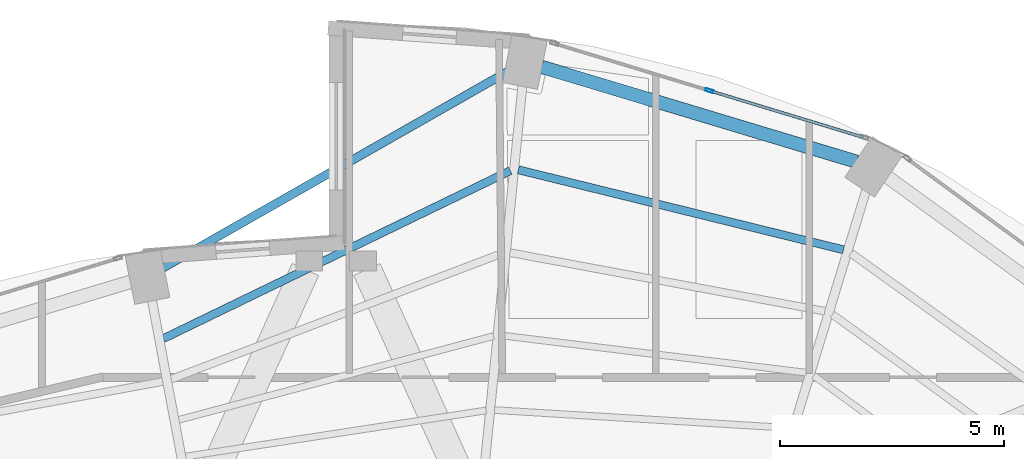
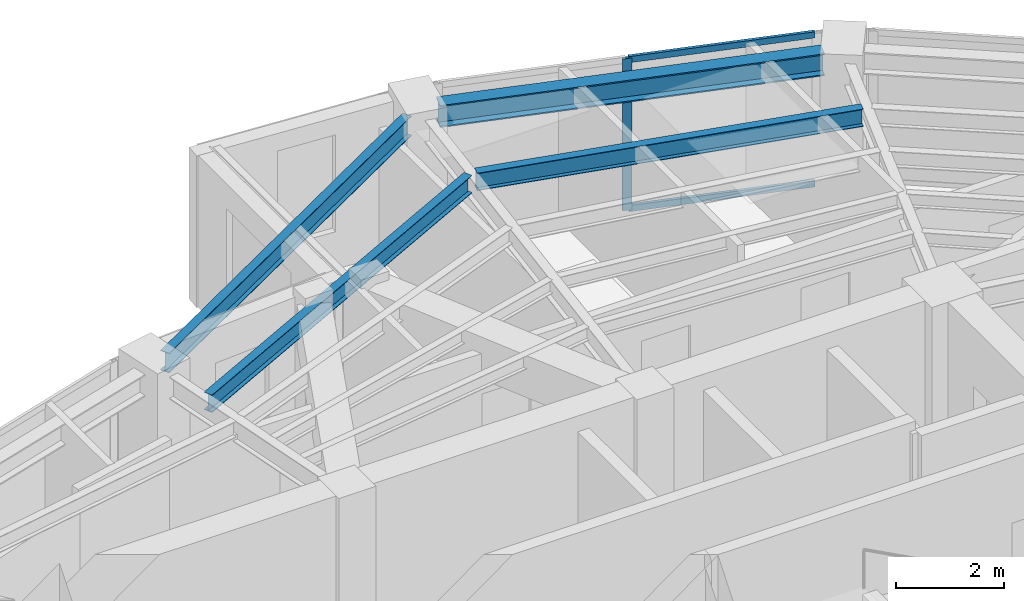
# One storey, part 14 of 21: 4 beams, 3 members, 1 element without a shape of its own.
"""IFC4 building model written with IfcOpenShell, lengths in metres."""

from ifc_helpers import new_model, si_unit, direction, frame, origin, origin_2d, place, context, subcontext, project, spatial, hollow_rectangle, i_section, extrude, material, layer, layer_set, material_profile, profile_set, type_object, element, aggregate, save


model = new_model("IFC4")

# Units and contexts
model_context = context("Model", 3, precision=1e-05, world=origin(), true_north=direction((0.0, 1.0)))
body_context = subcontext(model_context, "Body", "Model", "MODEL_VIEW")
ifc_project = project(units=[si_unit("LENGTHUNIT", "METRE"), si_unit("AREAUNIT", "SQUARE_METRE"), si_unit("VOLUMEUNIT", "CUBIC_METRE"), si_unit("PLANEANGLEUNIT", "RADIAN"), si_unit("MASSUNIT", "GRAM", prefix="KILO")], contexts=[model_context])

# Site, building, storey
site_placement = place(None, origin())
site = spatial("IfcSite", under=ifc_project, at=site_placement, CompositionType="ELEMENT")
building_placement = place(site_placement, origin())
building = spatial("IfcBuilding", under=site, at=building_placement, Name="Lazwardi Medical Tower", CompositionType="ELEMENT")
storey_placement = place(building_placement, frame((0.0, 0.0, 216.719970703125)))
storey = spatial("IfcBuildingStorey", under=building, at=storey_placement, Name="L56", CompositionType="ELEMENT", Elevation=216.719970703125)

# Beams
ifc_material_1 = material(Name="Steel S355", Category="steel")
ifc_material_profile_1 = material_profile(ifc_material_1, i_section(OverallWidth=0.300048828125, OverallDepth=0.5, WebThickness=0.014404296875, FlangeThickness=0.028076171875, at=origin_2d()), Name="HEB 500")
ifc_profile_set_1 = profile_set([ifc_material_profile_1], Name="Steel S355")
beam_type_1 = type_object("IfcBeamType", Name="BM-RB-Z4", PredefinedType="BEAM", material=ifc_profile_set_1)
beam_1_placement = place(storey_placement, frame((47.626953125, 43.56640625, 3.197998046875), z_axis=(-0.957544311906, 0.288286126506, 0.0), x_axis=(-0.288286126506, -0.957544311906, 0.0)))
element("IfcBeam", 1, at=beam_1_placement, inside=storey, type_object=beam_type_1, Name="Ring beam RB-05 B07 L56", PredefinedType="BEAM", context=body_context, shape_type="SweptSolid", body=[
    extrude(i_section(OverallWidth=0.300048828125, OverallDepth=0.5, WebThickness=0.014404296875, FlangeThickness=0.028076171875, at=origin_2d()), origin(), (0.0, 0.0, 1.0), 7.3515625),
])
ifc_material_profile_2 = material_profile(ifc_material_1, i_section(OverallWidth=0.179931640625, OverallDepth=0.39990234375, WebThickness=0.008544921875, FlangeThickness=0.013427734375, at=origin_2d()), Name="IPE 400")
ifc_profile_set_2 = profile_set([ifc_material_profile_2], Name="Steel S355")
beam_type_2 = type_object("IfcBeamType", Name="BM-SJ-01", PredefinedType="JOIST", material=ifc_profile_set_2)
beam_2_placement = place(storey_placement, frame((47.334228515625, 41.59912109375, 3.248046875), z_axis=(-0.971041669317, 0.238910184904, 0.0), x_axis=(-0.238910184904, -0.971041669317, 0.0)))
element("IfcBeam", 2, at=beam_2_placement, inside=storey, type_object=beam_type_2, Name="Secondary joist SJ-01 R1 B07 L56", PredefinedType="JOIST", context=body_context, shape_type="SweptSolid", body=[
    extrude(i_section(OverallWidth=0.179931640625, OverallDepth=0.39990234375, WebThickness=0.008544921875, FlangeThickness=0.013427734375, at=origin_2d()), origin(), (0.0, 0.0, 1.0), 7.482421875),
])
beam_3_placement = place(storey_placement, frame((39.89111328125, 43.367919921875, 3.248046875), z_axis=(-0.900068885459, -0.435747635024, 0.0), x_axis=(0.435747635024, -0.900068885459, 0.0)))
element("IfcBeam", 3, at=beam_3_placement, inside=storey, type_object=beam_type_2, Name="Secondary joist SJ-01 R1 B08 L56", PredefinedType="JOIST", context=body_context, shape_type="SweptSolid", body=[
    extrude(i_section(OverallWidth=0.179931640625, OverallDepth=0.39990234375, WebThickness=0.008544921875, FlangeThickness=0.013427734375, at=origin_2d()), origin(), (0.0, 0.0, 1.0), 8.612548828125),
])
ifc_material_profile_3 = material_profile(ifc_material_1, i_section(OverallWidth=0.18994140625, OverallDepth=0.449951171875, WebThickness=0.009521484375, FlangeThickness=0.0146484375, at=origin_2d()), Name="IPE 450")
ifc_profile_set_3 = profile_set([ifc_material_profile_3], Name="Steel S355")
beam_type_3 = type_object("IfcBeamType", Name="BM-SP-01", PredefinedType="SPANDREL", material=ifc_profile_set_3)
beam_4_placement = place(storey_placement, frame((39.875, 45.605224609375, 3.22314453125), z_axis=(-0.868954808466, -0.494891443494, 0.0), x_axis=(0.494891443494, -0.868954808466, 0.0)))
element("IfcBeam", 4, at=beam_4_placement, inside=storey, type_object=beam_type_3, Name="Spandrel beam SP-01 B08 L56", PredefinedType="SPANDREL", context=body_context, shape_type="SweptSolid", body=[
    extrude(i_section(OverallWidth=0.18994140625, OverallDepth=0.449951171875, WebThickness=0.009521484375, FlangeThickness=0.0146484375, at=origin_2d()), origin(), (0.0, 0.0, 1.0), 8.918701171875),
])

# Curtain wall, members
ifc_material_2 = material(Name="Anodised bronze aluminium and solar control glazing", Category="aluminium")
ifc_layer = layer(ifc_material_2, 0.18994140625)
ifc_layer_set = layer_set([ifc_layer], Name="Anodised bronze aluminium and solar control glazing")
curtain_wall_type = type_object("IfcCurtainWallType", Name="CW-SYS-04", PredefinedType="NOTDEFINED", material=ifc_layer_set)
curtain_wall_placement = place(storey_placement, origin())
curtain_wall = element("IfcCurtainWall", 5, at=curtain_wall_placement, inside=storey, type_object=curtain_wall_type, Name="L56 Unitised bronze curtain wall CW-04", PredefinedType="NOTDEFINED")
ifc_material_3 = material(Name="Anodised bronze aluminium", Category="aluminium")
ifc_material_profile_4 = material_profile(ifc_material_3, hollow_rectangle(XDim=0.06494140625, YDim=0.179931640625, WallThickness=0.00390625, at=origin_2d()), Name="ALU-MULLION 180x65x4")
ifc_profile_set_4 = profile_set([ifc_material_profile_4], Name="Anodised bronze aluminium")
member_type_1 = type_object("IfcMemberType", Name="CW-MUL-03", PredefinedType="MULLION", material=ifc_profile_set_4)
member_1_placement = place(storey_placement, frame((44.33642578125, 45.1552734375, 0.0), z_axis=(0.0, 0.0, 1.0), x_axis=(-0.290581889515, -0.956850126972, 0.0)))
member_1 = element("IfcMember", 6, at=member_1_placement, type_object=member_type_1, Name="CW-04 mullion 2", PredefinedType="MULLION", context=body_context, shape_type="SweptSolid", body=[
    extrude(hollow_rectangle(XDim=0.06494140625, YDim=0.179931640625, WallThickness=0.00390625, at=origin_2d()), origin(), (0.0, 0.0, 1.0), 3.447998046875),
])
ifc_material_profile_5 = material_profile(ifc_material_3, hollow_rectangle(XDim=0.06494140625, YDim=0.139892578125, WallThickness=0.00341796875, at=origin_2d()), Name="ALU-TRANSOM 140x65x3.5")
ifc_profile_set_5 = profile_set([ifc_material_profile_5], Name="Anodised bronze aluminium")
member_type_2 = type_object("IfcMemberType", Name="CW-TRN-03", PredefinedType="USERDEFINED", material=ifc_profile_set_5)
member_2_placement = place(storey_placement, frame((47.7685546875, 44.113037109375, 0.032470703125), z_axis=(-0.956862505902, 0.290541124109, 0.0), x_axis=(-0.290541124109, -0.956862505902, 0.0)))
member_2 = element("IfcMember", 7, at=member_2_placement, type_object=member_type_2, Name="CW-04 transom 1.1", ObjectType="TRANSOM", PredefinedType="USERDEFINED", context=body_context, shape_type="SweptSolid", body=[
    extrude(hollow_rectangle(XDim=0.06494140625, YDim=0.139892578125, WallThickness=0.00341796875, at=origin_2d()), origin(), (0.0, 0.0, 1.0), 3.554443359375),
])
member_3_placement = place(storey_placement, frame((47.7685546875, 44.113037109375, 3.41552734375), z_axis=(-0.956862505902, 0.290541124109, 0.0), x_axis=(-0.290541124109, -0.956862505902, 0.0)))
member_3 = element("IfcMember", 8, at=member_3_placement, type_object=member_type_2, Name="CW-04 transom 1.2", ObjectType="TRANSOM", PredefinedType="USERDEFINED", context=body_context, shape_type="SweptSolid", body=[
    extrude(hollow_rectangle(XDim=0.06494140625, YDim=0.139892578125, WallThickness=0.00341796875, at=origin_2d()), origin(), (0.0, 0.0, 1.0), 3.554443359375),
])
aggregate(curtain_wall, [member_1, member_2, member_3])

save(model, "model.ifc")
